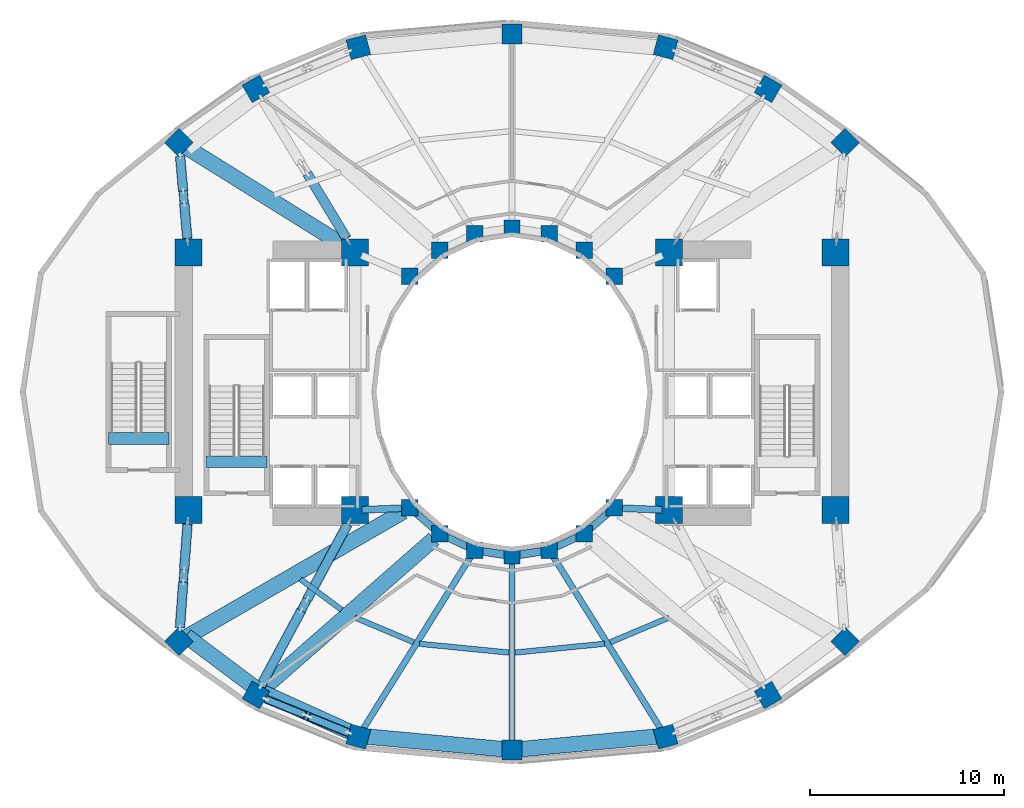
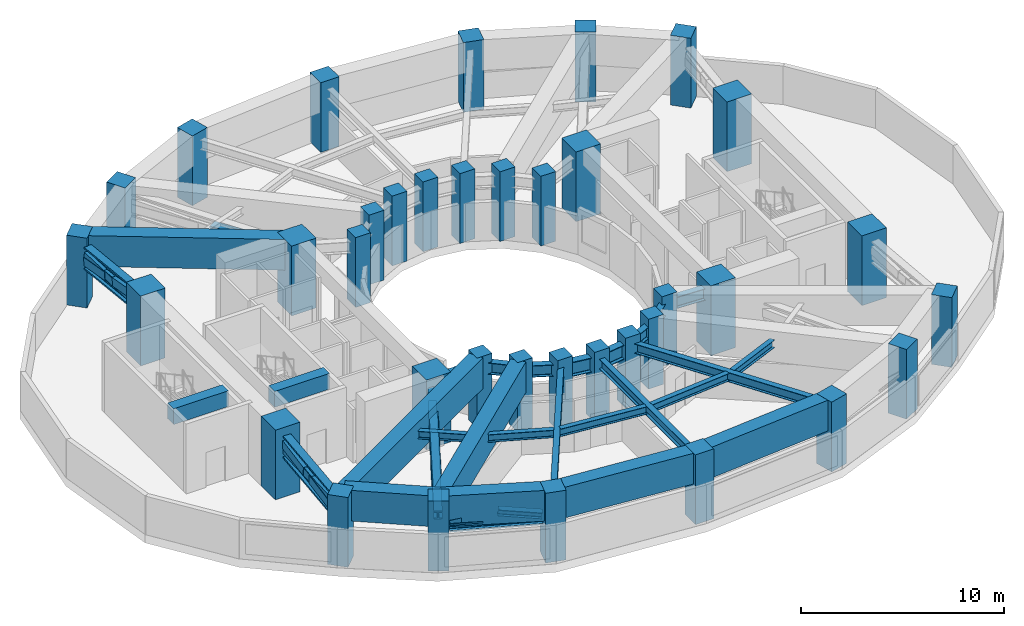
# One storey, part 1 of 10: 36 columns, 32 beams, 12 members.
"""IFC4 building model written with IfcOpenShell, lengths in metres."""

from ifc_helpers import new_model, si_unit, direction, frame, origin, origin_2d, place, context, subcontext, project, spatial, rectangle, hollow_rectangle, i_section, extrude, material, material_profile, profile_set, type_object, element, save


model = new_model("IFC4")

# Units and contexts
model_context = context("Model", 3, precision=1e-05, world=origin(), true_north=direction((0.0, 1.0)))
body_context = subcontext(model_context, "Body", "Model", "MODEL_VIEW")
ifc_project = project(units=[si_unit("LENGTHUNIT", "METRE"), si_unit("AREAUNIT", "SQUARE_METRE"), si_unit("VOLUMEUNIT", "CUBIC_METRE"), si_unit("PLANEANGLEUNIT", "RADIAN"), si_unit("MASSUNIT", "GRAM", prefix="KILO")], contexts=[model_context])

# Site, building, storey
site_placement = place(None, origin())
site = spatial("IfcSite", under=ifc_project, at=site_placement, CompositionType="ELEMENT")
building_placement = place(site_placement, origin())
building = spatial("IfcBuilding", under=site, at=building_placement, Name="Solvane Sanctuary Tower", CompositionType="ELEMENT")
storey_placement = place(building_placement, frame((0.0, 0.0, 64.800048828125)))
storey = spatial("IfcBuildingStorey", under=building, at=storey_placement, Name="L19", CompositionType="ELEMENT", Elevation=64.800048828125)

# Columns
ifc_material_1 = material(Name="Concrete C70/85", Category="concrete")
ifc_material_profile_1 = material_profile(ifc_material_1, rectangle(XDim=1.39990234375, YDim=1.39990234375, at=origin_2d()), Name="RC1400X1400")
ifc_profile_set_1 = profile_set([ifc_material_profile_1], Name="Concrete C70/85")
column_type_1 = type_object("IfcColumnType", Name="Column C-POD-INT RC1400X1400", PredefinedType="COLUMN", material=ifc_profile_set_1)
for number, where, z_axis, x_axis, name in (
    (1, (15.300048828125, 16.89990234375, 0.0), (0.0, 0.0, 1.0), (1.0, 0.0, 0.0), "L19 Core Corner Column CW1"),
    (2, (23.89990234375, 16.89990234375, 0.0), (0.0, 0.0, 1.0), (1.0, 0.0, 0.0), "L19 Core Corner Column CW2"),
    (3, (23.89990234375, 30.199951171875, 0.0), (0.0, 0.0, 1.0), (1.0, 0.0, 0.0), "L19 Core Corner Column CW3"),
    (4, (15.300048828125, 30.199951171875, 0.0), (0.0, 0.0, 1.0), (1.0, 0.0, 0.0), "L19 Core Corner Column CW4"),
    (5, (40.10009765625, 16.89990234375, 0.0), (0.0, 0.0, 1.0), (1.0, 0.0, 0.0), "L19 Core Corner Column CE1"),
    (6, (48.699951171875, 16.89990234375, 0.0), (0.0, 0.0, 1.0), (1.0, 0.0, 0.0), "L19 Core Corner Column CE2"),
    (7, (48.699951171875, 30.199951171875, 0.0), (0.0, 0.0, 1.0), (1.0, 0.0, 0.0), "L19 Core Corner Column CE3"),
    (8, (40.10009765625, 30.199951171875, 0.0), (0.0, 0.0, 1.0), (1.0, 0.0, 0.0), "L19 Core Corner Column CE4"),
):
    element("IfcColumn", number, at=place(storey_placement, frame(where, z_axis=z_axis, x_axis=x_axis)), inside=storey, type_object=column_type_1, Name=name, PredefinedType="COLUMN", context=body_context, shape_type="SweptSolid", body=[
        extrude(rectangle(XDim=1.39990234375, YDim=1.39990234375, at=origin_2d()), origin(), (0.0, 0.0, 1.0), 4.199951171875),
    ])
ifc_material_2 = material(Name="Concrete C60/75", Category="concrete")
ifc_material_profile_2 = material_profile(ifc_material_2, rectangle(XDim=0.85009765625, YDim=0.85009765625, at=origin_2d()), Name="RC850X850")
ifc_profile_set_2 = profile_set([ifc_material_profile_2], Name="Concrete C60/75")
column_type_2 = type_object("IfcColumnType", Name="Column C-RING-Z2 RC850X850", PredefinedType="COLUMN", material=ifc_profile_set_2)
for number, where, z_axis, x_axis, name in (
    (9, (37.27490234375, 28.982177734375, 0.0), (0.0, 0.0, 1.0), (1.0, 0.0, 0.0), "L19 Inner Light-Well Ring Column IC01"),
    (10, (35.72998046875, 30.32666015625, 0.0), (0.0, 0.0, 1.0), (1.0, 0.0, 0.0), "L19 Inner Light-Well Ring Column IC02"),
    (11, (33.930908203125, 31.171630859375, 0.0), (0.0, 0.0, 1.0), (1.0, 0.0, 0.0), "L19 Inner Light-Well Ring Column IC03"),
    (12, (32.0, 31.4599609375, 0.0), (0.0, 0.0, 1.0), (1.0, 0.0, 0.0), "L19 Inner Light-Well Ring Column IC04"),
    (13, (30.069091796875, 31.171630859375, 0.0), (0.0, 0.0, 1.0), (1.0, 0.0, 0.0), "L19 Inner Light-Well Ring Column IC05"),
    (14, (28.27001953125, 30.32666015625, 0.0), (0.0, 0.0, 1.0), (1.0, 0.0, 0.0), "L19 Inner Light-Well Ring Column IC06"),
    (15, (26.72509765625, 28.982177734375, 0.0), (0.0, 0.0, 1.0), (1.0, 0.0, 0.0), "L19 Inner Light-Well Ring Column IC07"),
    (16, (26.72509765625, 17.017822265625, 0.0), (0.0, 0.0, 1.0), (1.0, 0.0, 0.0), "L19 Inner Light-Well Ring Column IC08"),
    (17, (28.27001953125, 15.67333984375, 0.0), (0.0, 0.0, 1.0), (1.0, 0.0, 0.0), "L19 Inner Light-Well Ring Column IC09"),
    (18, (30.069091796875, 14.828369140625, 0.0), (0.0, 0.0, 1.0), (1.0, 0.0, 0.0), "L19 Inner Light-Well Ring Column IC10"),
    (19, (32.0, 14.5400390625, 0.0), (0.0, 0.0, 1.0), (1.0, 0.0, 0.0), "L19 Inner Light-Well Ring Column IC11"),
    (20, (33.930908203125, 14.828369140625, 0.0), (0.0, 0.0, 1.0), (1.0, 0.0, 0.0), "L19 Inner Light-Well Ring Column IC12"),
    (21, (35.72998046875, 15.67333984375, 0.0), (0.0, 0.0, 1.0), (1.0, 0.0, 0.0), "L19 Inner Light-Well Ring Column IC13"),
    (22, (37.27490234375, 17.017822265625, 0.0), (0.0, 0.0, 1.0), (1.0, 0.0, 0.0), "L19 Inner Light-Well Ring Column IC14"),
):
    element("IfcColumn", number, at=place(storey_placement, frame(where, z_axis=z_axis, x_axis=x_axis)), inside=storey, type_object=column_type_2, Name=name, PredefinedType="COLUMN", context=body_context, shape_type="SweptSolid", body=[
        extrude(rectangle(XDim=0.85009765625, YDim=0.85009765625, at=origin_2d()), origin(), (0.0, 0.0, 1.0), 4.199951171875),
    ])
ifc_material_profile_3 = material_profile(ifc_material_2, rectangle(XDim=1.050048828125, YDim=1.050048828125, at=origin_2d()), Name="RC1050X1050")
ifc_profile_set_3 = profile_set([ifc_material_profile_3], Name="Concrete C60/75")
column_type_3 = type_object("IfcColumnType", Name="Column C-TUBE-Z2 RC1050X1050", PredefinedType="COLUMN", material=ifc_profile_set_3)
for number, where, z_axis, x_axis, name in (
    (23, (49.19482421875, 35.875244140625, 0.0), (0.0, 0.0, 1.0), (0.707106781187, 0.707106781187, 0.0), "L19 Perimeter Tube Column TC01"),
    (24, (45.221435546875, 38.647216796875, 0.0), (0.0, 0.0, 1.0), (0.5, 0.866025403784, 0.0), "L19 Perimeter Tube Column TC02"),
    (25, (39.931640625, 40.796630859375, 0.0), (0.0, 0.0, 1.0), (0.258819045103, 0.965925826289, 0.0), "L19 Perimeter Tube Column TC03"),
    (26, (32.0, 41.47998046875, 0.0), (0.0, 0.0, 1.0), (0.0, 1.0, 0.0), "L19 Perimeter Tube Column TC04"),
    (27, (24.068359375, 40.796630859375, 0.0), (0.0, 0.0, 1.0), (-0.258819045103, 0.965925826289, 0.0), "L19 Perimeter Tube Column TC05"),
    (28, (18.778564453125, 38.647216796875, 0.0), (0.0, 0.0, 1.0), (-0.5, 0.866025403784, 0.0), "L19 Perimeter Tube Column TC06"),
    (29, (14.80517578125, 35.875244140625, 0.0), (0.0, 0.0, 1.0), (-0.707106781187, 0.707106781187, 0.0), "L19 Perimeter Tube Column TC07"),
    (30, (14.80517578125, 10.124755859375, 0.0), (0.0, 0.0, 1.0), (-0.707106781187, -0.707106781187, 0.0), "L19 Perimeter Tube Column TC08"),
    (31, (18.778564453125, 7.352783203125, 0.0), (0.0, 0.0, 1.0), (-0.5, -0.866025403784, 0.0), "L19 Perimeter Tube Column TC09"),
    (32, (24.068359375, 5.203369140625, 0.0), (0.0, 0.0, 1.0), (-0.258819045103, -0.965925826289, 0.0), "L19 Perimeter Tube Column TC10"),
    (33, (32.0, 4.52001953125, 0.0), (0.0, 0.0, 1.0), (0.0, -1.0, 0.0), "L19 Perimeter Tube Column TC11"),
    (34, (39.931640625, 5.203369140625, 0.0), (0.0, 0.0, 1.0), (0.258819045103, -0.965925826289, 0.0), "L19 Perimeter Tube Column TC12"),
    (35, (45.221435546875, 7.352783203125, 0.0), (0.0, 0.0, 1.0), (0.5, -0.866025403784, 0.0), "L19 Perimeter Tube Column TC13"),
    (36, (49.19482421875, 10.124755859375, 0.0), (0.0, 0.0, 1.0), (0.707106781187, -0.707106781187, 0.0), "L19 Perimeter Tube Column TC14"),
):
    element("IfcColumn", number, at=place(storey_placement, frame(where, z_axis=z_axis, x_axis=x_axis)), inside=storey, type_object=column_type_3, Name=name, PredefinedType="COLUMN", context=body_context, shape_type="SweptSolid", body=[
        extrude(rectangle(XDim=1.050048828125, YDim=1.050048828125, at=origin_2d()), origin(), (0.0, 0.0, 1.0), 4.199951171875),
    ])

# Beams
ifc_material_3 = material(Name="Steel ASTM A913 Grade 65", Category="steel")
ifc_material_profile_4 = material_profile(ifc_material_3, i_section(OverallWidth=0.403076171875, OverallDepth=0.867919921875, WebThickness=0.02099609375, FlangeThickness=0.03564453125, FilletRadius=0.02197265625, at=origin_2d()), Name="W33X241")
ifc_profile_set_4 = profile_set([ifc_material_profile_4], Name="Steel ASTM A913 Grade 65")
beam_type_1 = type_object("IfcBeamType", Name="Beam B-BELT-CH W33X241", PredefinedType="BEAM", material=ifc_profile_set_4)
for number, where, z_axis, x_axis, name in (
    (37, (30.4599609375, 14.77001953125, 3.263916015625), (0.989034751611, -0.147682971619, 0.0), (0.147682971619, 0.989034751611, 0.0), "L19 Inner Belt Chord IC10-IC11"),
    (38, (32.390625, 14.598388671875, 3.263916015625), (0.989034751611, 0.147682971619, 0.0), (-0.147682971619, 0.989034751611, 0.0), "L19 Inner Belt Chord IC11-IC12"),
):
    element("IfcBeam", number, at=place(storey_placement, frame(where, z_axis=z_axis, x_axis=x_axis)), inside=storey, type_object=beam_type_1, Name=name, PredefinedType="BEAM", context=body_context, shape_type="SweptSolid", body=[
        extrude(i_section(OverallWidth=0.403076171875, OverallDepth=0.867919921875, WebThickness=0.02099609375, FlangeThickness=0.03564453125, FilletRadius=0.02197265625, at=origin_2d()), origin(), (0.0, 0.0, 1.0), 1.162109375),
    ])
ifc_material_profile_5 = material_profile(ifc_material_1, rectangle(XDim=0.60009765625, YDim=0.949951171875, at=origin_2d()), Name="RC600X950")
ifc_profile_set_5 = profile_set([ifc_material_profile_5], Name="Concrete C70/85")
beam_type_2 = type_object("IfcBeamType", Name="Beam B-COUPLE RC600X950", PredefinedType="LINTEL", material=ifc_profile_set_5)
for number, where, z_axis, x_axis, name in (
    (39, (16.22998046875, 19.399169921875, 3.724853515625), (1.0, 0.0, 0.0), (0.0, 1.0, 0.0), "L19 ST-1 Stair Floor Landing Trimmer"),
    (40, (11.169921875, 20.59912109375, 3.724853515625), (1.0, 0.0, 0.0), (0.0, 1.0, 0.0), "L19 ST-3 Stair Floor Landing Trimmer"),
):
    element("IfcBeam", number, at=place(storey_placement, frame(where, z_axis=z_axis, x_axis=x_axis)), inside=storey, type_object=beam_type_2, Name=name, PredefinedType="LINTEL", context=body_context, shape_type="SweptSolid", body=[
        extrude(rectangle(XDim=0.60009765625, YDim=0.949951171875, at=origin_2d()), origin(), (0.0, 0.0, 1.0), 3.1201171875),
    ])
ifc_material_profile_6 = material_profile(ifc_material_3, i_section(OverallWidth=0.431884765625, OverallDepth=0.498046875, WebThickness=0.0556640625, FlangeThickness=0.0888671875, FilletRadius=0.02490234375, at=origin_2d()), Name="W14X500")
ifc_profile_set_6 = profile_set([ifc_material_profile_6], Name="Steel ASTM A913 Grade 65")
beam_type_3 = type_object("IfcBeamType", Name="Beam B-OUTR-CH W14X500", PredefinedType="BEAM", material=ifc_profile_set_6)
for number, where, z_axis, x_axis, name in (
    (41, (15.238037109375, 30.909912109375, 3.448974609375), (-0.086870351336, 0.996219625413, 0.0), (-0.996219625413, -0.086870351336, 0.0), "L19 Outrigger Top Chord OW1"),
    (42, (15.238037109375, 30.909912109375, 2.60986328125), (-0.086870351336, 0.996219625413, 0.0), (-0.996219625413, -0.086870351336, 0.0), "L19 Outrigger Bottom Chord OW1"),
):
    element("IfcBeam", number, at=place(storey_placement, frame(where, z_axis=z_axis, x_axis=x_axis)), inside=storey, type_object=beam_type_3, Name=name, PredefinedType="BEAM", context=body_context, shape_type="SweptSolid", body=[
        extrude(i_section(OverallWidth=0.431884765625, OverallDepth=0.498046875, WebThickness=0.0556640625, FlangeThickness=0.0888671875, FilletRadius=0.02490234375, at=origin_2d()), origin(), (0.0, 0.0, 1.0), 4.28857421875),
    ])
for number, where, z_axis, x_axis, name in (
    (43, (15.248046875, 16.18994140625, 3.448974609375), (-0.072821438964, -0.997344994486, 0.0), (0.997344994486, -0.072821438964, 0.0), "L19 Outrigger Top Chord OW3"),
    (44, (15.248046875, 16.18994140625, 2.60986328125), (-0.072821438964, -0.997344994486, 0.0), (0.997344994486, -0.072821438964, 0.0), "L19 Outrigger Bottom Chord OW3"),
):
    element("IfcBeam", number, at=place(storey_placement, frame(where, z_axis=z_axis, x_axis=x_axis)), inside=storey, type_object=beam_type_3, Name=name, PredefinedType="BEAM", context=body_context, shape_type="SweptSolid", body=[
        extrude(i_section(OverallWidth=0.431884765625, OverallDepth=0.498046875, WebThickness=0.0556640625, FlangeThickness=0.0888671875, FilletRadius=0.02490234375, at=origin_2d()), origin(), (0.0, 0.0, 1.0), 5.37744140625),
    ])
for number, where, z_axis, x_axis, name in (
    (45, (23.519775390625, 16.191162109375, 3.448974609375), (-0.472722258165, -0.881211476682, 0.0), (0.881211476682, -0.472722258165, 0.0), "L19 Outrigger Top Chord OW4"),
    (46, (23.519775390625, 16.191162109375, 2.60986328125), (-0.472722258165, -0.881211476682, 0.0), (0.881211476682, -0.472722258165, 0.0), "L19 Outrigger Bottom Chord OW4"),
):
    element("IfcBeam", number, at=place(storey_placement, frame(where, z_axis=z_axis, x_axis=x_axis)), inside=storey, type_object=beam_type_3, Name=name, PredefinedType="BEAM", context=body_context, shape_type="SweptSolid", body=[
        extrude(i_section(OverallWidth=0.431884765625, OverallDepth=0.498046875, WebThickness=0.0556640625, FlangeThickness=0.0888671875, FilletRadius=0.02490234375, at=origin_2d()), origin(), (0.0, 0.0, 1.0), 9.49462890625),
    ])
beam_1_placement = place(storey_placement, frame((19.27880859375, 7.1494140625, 2.300048828125), z_axis=(0.926448767062, -0.37642088413, 0.0), x_axis=(0.37642088413, 0.926448767062, 0.0)))
element("IfcBeam", 47, at=beam_1_placement, inside=storey, type_object=beam_type_3, Name="L19 Belt Truss Bottom Chord 09-10", PredefinedType="BEAM", context=body_context, shape_type="SweptSolid", body=[
    extrude(i_section(OverallWidth=0.431884765625, OverallDepth=0.498046875, WebThickness=0.0556640625, FlangeThickness=0.0888671875, FilletRadius=0.02490234375, at=origin_2d()), origin(), (0.0, 0.0, 1.0), 4.630859375),
])
ifc_material_4 = material(Name="Steel ASTM A992 Grade 50", Category="steel")
ifc_material_profile_7 = material_profile(ifc_material_4, i_section(OverallWidth=0.31494140625, OverallDepth=0.575927734375, WebThickness=0.01513671875, FlangeThickness=0.0244140625, FilletRadius=0.014892578125, at=origin_2d()), Name="W21X122")
ifc_profile_set_7 = profile_set([ifc_material_profile_7], Name="Steel ASTM A992 Grade 50")
beam_type_4 = type_object("IfcBeamType", Name="Beam B-RAD-Z2 W21X122", PredefinedType="BEAM", material=ifc_profile_set_7)
beam_2_placement = place(storey_placement, frame((29.921142578125, 14.5908203125, 3.409912109375), z_axis=(-0.529058325657, -0.848585463022, 0.0), x_axis=(0.848585463022, -0.529058325657, 0.0)))
element("IfcBeam", 48, at=beam_2_placement, inside=storey, type_object=beam_type_4, Name="L19 Radial Composite Floor Beam 10", PredefinedType="BEAM", context=body_context, shape_type="SweptSolid", body=[
    extrude(i_section(OverallWidth=0.31494140625, OverallDepth=0.575927734375, WebThickness=0.01513671875, FlangeThickness=0.0244140625, FilletRadius=0.014892578125, at=origin_2d()), origin(), (0.0, 0.0, 1.0), 10.782470703125),
])
beam_3_placement = place(storey_placement, frame((32.0, 14.260009765625, 3.409912109375), z_axis=(0.0, -1.0, 0.0), x_axis=(1.0, 0.0, 0.0)))
element("IfcBeam", 49, at=beam_3_placement, inside=storey, type_object=beam_type_4, Name="L19 Radial Composite Floor Beam 11", PredefinedType="BEAM", context=body_context, shape_type="SweptSolid", body=[
    extrude(i_section(OverallWidth=0.31494140625, OverallDepth=0.575927734375, WebThickness=0.01513671875, FlangeThickness=0.0244140625, FilletRadius=0.014892578125, at=origin_2d()), origin(), (0.0, 0.0, 1.0), 9.4599609375),
])
beam_4_placement = place(storey_placement, frame((34.078857421875, 14.5908203125, 3.409912109375), z_axis=(0.529058325657, -0.848585463022, 0.0), x_axis=(0.848585463022, 0.529058325657, 0.0)))
element("IfcBeam", 50, at=beam_4_placement, inside=storey, type_object=beam_type_4, Name="L19 Radial Composite Floor Beam 12", PredefinedType="BEAM", context=body_context, shape_type="SweptSolid", body=[
    extrude(i_section(OverallWidth=0.31494140625, OverallDepth=0.575927734375, WebThickness=0.01513671875, FlangeThickness=0.0244140625, FilletRadius=0.014892578125, at=origin_2d()), origin(), (0.0, 0.0, 1.0), 10.782470703125),
])
ifc_material_profile_8 = material_profile(ifc_material_4, i_section(OverallWidth=0.35498046875, OverallDepth=0.695068359375, WebThickness=0.015380859375, FlangeThickness=0.02490234375, FilletRadius=0.01806640625, at=origin_2d()), Name="W27X146")
ifc_profile_set_8 = profile_set([ifc_material_profile_8], Name="Steel ASTM A992 Grade 50")
beam_type_5 = type_object("IfcBeamType", Name="Beam B-RING-IN1 W27X146", PredefinedType="BEAM", material=ifc_profile_set_8)
beam_5_placement = place(storey_placement, frame((24.259765625, 16.9150390625, 3.350341796875), z_axis=(0.999130007788, 0.041704047018, 0.0), x_axis=(-0.041704047018, 0.999130007788, 0.0)))
element("IfcBeam", 51, at=beam_5_placement, inside=storey, type_object=beam_type_5, Name="L19 Inner Light-Well Ring Beam CW2-IC08", PredefinedType="BEAM", context=body_context, shape_type="SweptSolid", body=[
    extrude(i_section(OverallWidth=0.35498046875, OverallDepth=0.695068359375, WebThickness=0.015380859375, FlangeThickness=0.02490234375, FilletRadius=0.01806640625, at=origin_2d()), origin(), (0.0, 0.0, 1.0), 2.072265625),
])
beam_6_placement = place(storey_placement, frame((27.02294921875, 16.758544921875, 3.350341796875), z_axis=(0.754317177099, -0.656510164684, 0.0), x_axis=(0.656510164684, 0.754317177099, 0.0)))
element("IfcBeam", 52, at=beam_6_placement, inside=storey, type_object=beam_type_5, Name="L19 Inner Light-Well Ring Beam IC08-IC09", PredefinedType="BEAM", context=body_context, shape_type="SweptSolid", body=[
    extrude(i_section(OverallWidth=0.35498046875, OverallDepth=0.695068359375, WebThickness=0.015380859375, FlangeThickness=0.02490234375, FilletRadius=0.01806640625, at=origin_2d()), origin(), (0.0, 0.0, 1.0), 1.258056640625),
])
for number, where, z_axis, x_axis, name in (
    (53, (28.62744140625, 15.505615234375, 3.350341796875), (0.905044882818, -0.425316070804, 0.0), (0.425316070804, 0.905044882818, 0.0), "L19 Inner Light-Well Ring Beam IC09-IC10"),
    (54, (34.288330078125, 14.99609375, 3.350341796875), (0.905044882818, 0.425316070804, 0.0), (-0.425316070804, 0.905044882818, 0.0), "L19 Inner Light-Well Ring Beam IC12-IC13"),
):
    element("IfcBeam", number, at=place(storey_placement, frame(where, z_axis=z_axis, x_axis=x_axis)), inside=storey, type_object=beam_type_5, Name=name, PredefinedType="BEAM", context=body_context, shape_type="SweptSolid", body=[
        extrude(i_section(OverallWidth=0.35498046875, OverallDepth=0.695068359375, WebThickness=0.015380859375, FlangeThickness=0.02490234375, FilletRadius=0.01806640625, at=origin_2d()), origin(), (0.0, 0.0, 1.0), 1.197998046875),
    ])
beam_7_placement = place(storey_placement, frame((36.028076171875, 15.9326171875, 3.350341796875), z_axis=(0.754317177099, 0.656510164684, 0.0), x_axis=(-0.656510164684, 0.754317177099, 0.0)))
element("IfcBeam", 55, at=beam_7_placement, inside=storey, type_object=beam_type_5, Name="L19 Inner Light-Well Ring Beam IC13-IC14", PredefinedType="BEAM", context=body_context, shape_type="SweptSolid", body=[
    extrude(i_section(OverallWidth=0.35498046875, OverallDepth=0.695068359375, WebThickness=0.015380859375, FlangeThickness=0.02490234375, FilletRadius=0.01806640625, at=origin_2d()), origin(), (0.0, 0.0, 1.0), 1.258056640625),
])
beam_8_placement = place(storey_placement, frame((37.669677734375, 17.00146484375, 3.350341796875), z_axis=(0.999130007788, -0.041704047018, 0.0), x_axis=(0.041704047018, 0.999130007788, 0.0)))
element("IfcBeam", 56, at=beam_8_placement, inside=storey, type_object=beam_type_5, Name="L19 Inner Light-Well Ring Beam IC14-CE1", PredefinedType="BEAM", context=body_context, shape_type="SweptSolid", body=[
    extrude(i_section(OverallWidth=0.35498046875, OverallDepth=0.695068359375, WebThickness=0.015380859375, FlangeThickness=0.02490234375, FilletRadius=0.01806640625, at=origin_2d()), origin(), (0.0, 0.0, 1.0), 2.072265625),
])
ifc_material_profile_9 = material_profile(ifc_material_4, i_section(OverallWidth=0.280029296875, OverallDepth=0.462890625, WebThickness=0.0107421875, FlangeThickness=0.017333984375, FilletRadius=0.013916015625, at=origin_2d()), Name="W18X76")
ifc_profile_set_9 = profile_set([ifc_material_profile_9], Name="Steel ASTM A992 Grade 50")
beam_type_6 = type_object("IfcBeamType", Name="Beam B-SEC-JOIST W18X76", PredefinedType="JOIST", material=ifc_profile_set_9)
beam_9_placement = place(storey_placement, frame((21.081787109375, 13.335205078125, 3.466552734375), z_axis=(0.801543729599, -0.597936158415, 0.0), x_axis=(0.597936158415, 0.801543729599, 0.0)))
element("IfcBeam", 57, at=beam_9_placement, inside=storey, type_object=beam_type_6, Name="L19 Secondary Circumferential Joist 08-09", PredefinedType="JOIST", context=body_context, shape_type="SweptSolid", body=[
    extrude(i_section(OverallWidth=0.280029296875, OverallDepth=0.462890625, WebThickness=0.0107421875, FlangeThickness=0.017333984375, FilletRadius=0.013916015625, at=origin_2d()), origin(), (0.0, 0.0, 1.0), 2.65234375),
])
beam_10_placement = place(storey_placement, frame((23.88818359375, 11.359375, 3.466552734375), z_axis=(0.921183568774, -0.389128298406, 0.0), x_axis=(0.389128298406, 0.921183568774, 0.0)))
element("IfcBeam", 58, at=beam_10_placement, inside=storey, type_object=beam_type_6, Name="L19 Secondary Circumferential Joist 09-10", PredefinedType="JOIST", context=body_context, shape_type="SweptSolid", body=[
    extrude(i_section(OverallWidth=0.280029296875, OverallDepth=0.462890625, WebThickness=0.0107421875, FlangeThickness=0.017333984375, FilletRadius=0.013916015625, at=origin_2d()), origin(), (0.0, 0.0, 1.0), 3.300048828125),
])
for number, where, z_axis, x_axis, name in (
    (59, (27.220703125, 10.000732421875, 3.466552734375), (0.995183733328, -0.098027225394, 0.0), (0.098027225394, 0.995183733328, 0.0), "L19 Secondary Circumferential Joist 10-11"),
    (60, (32.15185546875, 9.544921875, 3.466552734375), (0.995183733328, 0.098027225394, 0.0), (-0.098027225394, 0.995183733328, 0.0), "L19 Secondary Circumferential Joist 11-12"),
):
    element("IfcBeam", number, at=place(storey_placement, frame(where, z_axis=z_axis, x_axis=x_axis)), inside=storey, type_object=beam_type_6, Name=name, PredefinedType="JOIST", context=body_context, shape_type="SweptSolid", body=[
        extrude(i_section(OverallWidth=0.280029296875, OverallDepth=0.462890625, WebThickness=0.0107421875, FlangeThickness=0.017333984375, FilletRadius=0.013916015625, at=origin_2d()), origin(), (0.0, 0.0, 1.0), 4.64990234375),
    ])
beam_11_placement = place(storey_placement, frame((37.07177734375, 10.0751953125, 3.466552734375), z_axis=(0.921183568774, 0.389128298406, 0.0), x_axis=(-0.389128298406, 0.921183568774, 0.0)))
element("IfcBeam", 61, at=beam_11_placement, inside=storey, type_object=beam_type_6, Name="L19 Secondary Circumferential Joist 12-13", PredefinedType="JOIST", context=body_context, shape_type="SweptSolid", body=[
    extrude(i_section(OverallWidth=0.280029296875, OverallDepth=0.462890625, WebThickness=0.0107421875, FlangeThickness=0.017333984375, FilletRadius=0.013916015625, at=origin_2d()), origin(), (0.0, 0.0, 1.0), 3.300048828125),
])
ifc_material_profile_10 = material_profile(ifc_material_1, rectangle(XDim=0.800048828125, YDim=1.85009765625, at=origin_2d()), Name="RC800X1850")
ifc_profile_set_10 = profile_set([ifc_material_profile_10], Name="Concrete C70/85")
beam_type_7 = type_object("IfcBeamType", Name="Beam B-XFER-BLK RC800X1850", PredefinedType="BEAM", material=ifc_profile_set_10)
beam_12_placement = place(storey_placement, frame((23.594482421875, 30.390625, 3.27490234375), z_axis=(-0.848375589758, 0.529394804189, 0.0), x_axis=(-0.529394804189, -0.848375589758, 0.0)))
element("IfcBeam", 62, at=beam_12_placement, inside=storey, type_object=beam_type_7, Name="L19 Block-Shift Radial Transfer Girder 07A", PredefinedType="BEAM", context=body_context, shape_type="SweptSolid", body=[
    extrude(rectangle(XDim=0.800048828125, YDim=1.85009765625, at=origin_2d()), origin(), (0.0, 0.0, 1.0), 9.955322265625),
])
beam_13_placement = place(storey_placement, frame((26.383056640625, 16.8203125, 3.27490234375), z_axis=(-0.865663325192, -0.500626614771, 0.0), x_axis=(0.500626614771, -0.865663325192, 0.0)))
element("IfcBeam", 63, at=beam_13_placement, inside=storey, type_object=beam_type_7, Name="L19 Block-Shift Radial Transfer Girder 08A", PredefinedType="BEAM", context=body_context, shape_type="SweptSolid", body=[
    extrude(rectangle(XDim=0.800048828125, YDim=1.85009765625, at=origin_2d()), origin(), (0.0, 0.0, 1.0), 12.969482421875),
])
beam_14_placement = place(storey_placement, frame((27.972900390625, 15.4130859375, 3.27490234375), z_axis=(-0.751966160897, -0.659201708785, 0.0), x_axis=(0.659201708785, -0.751966160897, 0.0)))
element("IfcBeam", 64, at=beam_14_placement, inside=storey, type_object=beam_type_7, Name="L19 Block-Shift Radial Transfer Girder 09A", PredefinedType="BEAM", context=body_context, shape_type="SweptSolid", body=[
    extrude(rectangle(XDim=0.800048828125, YDim=1.85009765625, at=origin_2d()), origin(), (0.0, 0.0, 1.0), 11.822265625),
])
beam_15_placement = place(storey_placement, frame((15.1748046875, 10.401611328125, 3.27490234375), z_axis=(0.800210613957, -0.599719078662, 0.0), x_axis=(0.599719078662, 0.800210613957, 0.0)))
element("IfcBeam", 65, at=beam_15_placement, inside=storey, type_object=beam_type_7, Name="L19 Perimeter Step Transfer Ring NTC08-NTC09", PredefinedType="BEAM", context=body_context, shape_type="SweptSolid", body=[
    extrude(rectangle(XDim=0.800048828125, YDim=1.85009765625, at=origin_2d()), origin(), (0.0, 0.0, 1.0), 4.728271484375),
])
beam_16_placement = place(storey_placement, frame((18.95849609375, 7.56591796875, 3.27490234375), z_axis=(0.911310237902, -0.411720354483, 0.0), x_axis=(0.411720354483, 0.911310237902, 0.0)))
element("IfcBeam", 66, at=beam_16_placement, inside=storey, type_object=beam_type_7, Name="L19 Perimeter Step Transfer Ring NTC09-NTC10", PredefinedType="BEAM", context=body_context, shape_type="SweptSolid", body=[
    extrude(rectangle(XDim=0.800048828125, YDim=1.85009765625, at=origin_2d()), origin(), (0.0, 0.0, 1.0), 5.629150390625),
])
for number, where, z_axis, x_axis, name in (
    (67, (24.08837890625, 5.248291015625, 3.27490234375), (0.995790055536, -0.091663325793, 0.0), (0.091663325793, 0.995790055536, 0.0), "L19 Perimeter Step Transfer Ring NTC10-NTC11"),
    (68, (32.0, 4.52001953125, 3.27490234375), (0.995790055536, 0.091663325793, 0.0), (-0.091663325793, 0.995790055536, 0.0), "L19 Perimeter Step Transfer Ring NTC11-NTC12"),
):
    element("IfcBeam", number, at=place(storey_placement, frame(where, z_axis=z_axis, x_axis=x_axis)), inside=storey, type_object=beam_type_7, Name=name, PredefinedType="BEAM", context=body_context, shape_type="SweptSolid", body=[
        extrude(rectangle(XDim=0.800048828125, YDim=1.85009765625, at=origin_2d()), origin(), (0.0, 0.0, 1.0), 7.945068359375),
    ])

# Members
ifc_material_profile_11 = material_profile(ifc_material_3, hollow_rectangle(XDim=0.35009765625, YDim=0.35009765625, WallThickness=0.01611328125, at=origin_2d()), Name="HSS350X350X16")
ifc_profile_set_11 = profile_set([ifc_material_profile_11], Name="Steel ASTM A913 Grade 65")
member_type_1 = type_object("IfcMemberType", Name="Member M-BELT-DIAG HSS350X350X16", PredefinedType="BRACE", material=ifc_profile_set_11)
member_1_placement = place(storey_placement, frame((19.29248046875, 7.143798828125, 2.5517578125), z_axis=(0.911571739627, -0.370370534913, 0.178501065495), x_axis=(0.37641587991, 0.926450800287, 0.0)))
element("IfcMember", 69, at=member_1_placement, inside=storey, type_object=member_type_1, Name="L19 Belt Truss Diagonal 09-10", PredefinedType="BRACE", context=body_context, shape_type="SweptSolid", body=[
    extrude(hollow_rectangle(XDim=0.35009765625, YDim=0.35009765625, WallThickness=0.01611328125, at=origin_2d()), origin(), (0.0, 0.0, 1.0), 2.22802734375),
])
ifc_material_profile_12 = material_profile(ifc_material_4, i_section(OverallWidth=0.3740234375, OverallDepth=0.3720703125, WebThickness=0.016357421875, FlangeThickness=0.026123046875, FilletRadius=0.02490234375, at=origin_2d()), Name="W14X132")
ifc_profile_set_12 = profile_set([ifc_material_profile_12], Name="Steel ASTM A992 Grade 50")
member_type_2 = type_object("IfcMemberType", Name="Member M-BELT-POST W14X132", PredefinedType="POST", material=ifc_profile_set_12)
member_2_placement = place(storey_placement, frame((21.524169921875, 6.237060546875, 2.949462890625), z_axis=(0.911590259429, -0.370333542893, -0.178483237092), x_axis=(0.376377046956, 0.926466577122, 0.0)))
element("IfcMember", 70, at=member_2_placement, inside=storey, type_object=member_type_2, Name="L19 Belt Truss Web Strut 09-10", PredefinedType="POST", context=body_context, shape_type="SweptSolid", body=[
    extrude(i_section(OverallWidth=0.3740234375, OverallDepth=0.3720703125, WebThickness=0.016357421875, FlangeThickness=0.026123046875, FilletRadius=0.02490234375, at=origin_2d()), origin(), (0.0, 0.0, 1.0), 2.228271484375),
])
ifc_material_profile_13 = material_profile(ifc_material_3, hollow_rectangle(XDim=0.449951171875, YDim=0.449951171875, WallThickness=0.02001953125, at=origin_2d()), Name="HSS450X450X20")
ifc_profile_set_13 = profile_set([ifc_material_profile_13], Name="Steel ASTM A913 Grade 65")
member_type_3 = type_object("IfcMemberType", Name="Member M-OUTR-DIAG HSS450X450X20", PredefinedType="BRACE", material=ifc_profile_set_13)
member_3_placement = place(storey_placement, frame((15.236328125, 30.929931640625, 2.860595703125), z_axis=(-0.086609473239, 0.993087590973, 0.079220172943), x_axis=(-0.996218563133, -0.086882532587, 0.0)))
element("IfcMember", 71, at=member_3_placement, inside=storey, type_object=member_type_3, Name="L19 Outrigger Truss Diagonal OW1", PredefinedType="BRACE", context=body_context, shape_type="SweptSolid", body=[
    extrude(hollow_rectangle(XDim=0.449951171875, YDim=0.449951171875, WallThickness=0.02001953125, at=origin_2d()), origin(), (0.0, 0.0, 1.0), 4.26220703125),
])
member_4_placement = place(storey_placement, frame((15.24658203125, 16.170166015625, 2.8603515625), z_axis=(-0.072667773679, -0.99534765882, 0.063264782864), x_axis=(0.99734556422, -0.072813635616, 0.0)))
element("IfcMember", 72, at=member_4_placement, inside=storey, type_object=member_type_3, Name="L19 Outrigger Truss Diagonal OW3", PredefinedType="BRACE", context=body_context, shape_type="SweptSolid", body=[
    extrude(hollow_rectangle(XDim=0.449951171875, YDim=0.449951171875, WallThickness=0.02001953125, at=origin_2d()), origin(), (0.0, 0.0, 1.0), 5.3486328125),
])
member_5_placement = place(storey_placement, frame((23.510498046875, 16.173583984375, 2.859619140625), z_axis=(-0.4724225847, -0.880640909241, 0.035895548988), x_axis=(0.881208806793, -0.472727235127, 0.0)))
element("IfcMember", 73, at=member_5_placement, inside=storey, type_object=member_type_3, Name="L19 Outrigger Truss Diagonal OW4", PredefinedType="BRACE", context=body_context, shape_type="SweptSolid", body=[
    extrude(hollow_rectangle(XDim=0.449951171875, YDim=0.449951171875, WallThickness=0.02001953125, at=origin_2d()), origin(), (0.0, 0.0, 1.0), 9.460693359375),
])
ifc_material_profile_14 = material_profile(ifc_material_3, hollow_rectangle(XDim=0.5, YDim=0.5, WallThickness=0.02490234375, at=origin_2d()), Name="HSS500X500X25")
ifc_profile_set_14 = profile_set([ifc_material_profile_14], Name="Steel ASTM A913 Grade 65")
member_type_4 = type_object("IfcMemberType", Name="Member M-POD-DIAG HSS500X500X25", PredefinedType="BRACE", material=ifc_profile_set_14)
member_6_placement = place(storey_placement, frame((14.8671875, 35.16259765625, 2.860595703125), z_axis=(0.086609296901, -0.993092830042, 0.079154662583), x_axis=(0.996218618116, 0.086881902139, 0.0)))
element("IfcMember", 74, at=member_6_placement, inside=storey, type_object=member_type_4, Name="L19 Outrigger Counter-Diagonal Lower Half OW1", PredefinedType="BRACE", context=body_context, shape_type="SweptSolid", body=[
    extrude(hollow_rectangle(XDim=0.5, YDim=0.5, WallThickness=0.02490234375, at=origin_2d()), origin(), (0.0, 0.0, 1.0), 1.80126953125),
])
member_7_placement = place(storey_placement, frame((15.080322265625, 32.718505859375, 3.0556640625), z_axis=(0.086620956298, -0.993090963753, 0.079165318432), x_axis=(0.996217591577, 0.086893671993, 0.0)))
element("IfcMember", 75, at=member_7_placement, inside=storey, type_object=member_type_4, Name="L19 Outrigger Counter-Diagonal Upper Half OW1", PredefinedType="BRACE", context=body_context, shape_type="SweptSolid", body=[
    extrude(hollow_rectangle(XDim=0.5, YDim=0.5, WallThickness=0.02490234375, at=origin_2d()), origin(), (0.0, 0.0, 1.0), 1.801025390625),
])
member_8_placement = place(storey_placement, frame((21.43408203125, 34.26708984375, 3.042724609375), z_axis=(0.518044265001, -0.854417186166, 0.040017639656), x_axis=(0.855102145699, 0.518459564885, 0.0)))
element("IfcMember", 76, at=member_8_placement, inside=storey, type_object=member_type_4, Name="L19 Outrigger Counter-Diagonal Upper Half OW2", PredefinedType="BRACE", context=body_context, shape_type="SweptSolid", body=[
    extrude(hollow_rectangle(XDim=0.5, YDim=0.5, WallThickness=0.02490234375, at=origin_2d()), origin(), (0.0, 0.0, 1.0), 3.91064453125),
])
for number, where, z_axis, x_axis, name in (
    (77, (14.85791015625, 10.846435546875, 2.8603515625), (0.072695752283, 0.995348573878, 0.063218225839), (-0.997343532804, 0.072841455048, 0.0), "L19 Outrigger Counter-Diagonal Lower Half OW3"),
    (78, (15.076416015625, 13.8369140625, 3.05029296875), (0.072591674506, 0.995349545564, 0.063322436298), (-0.99735110881, 0.072737650187, 0.0), "L19 Outrigger Counter-Diagonal Upper Half OW3"),
):
    element("IfcMember", number, at=place(storey_placement, frame(where, z_axis=z_axis, x_axis=x_axis)), inside=storey, type_object=member_type_4, Name=name, PredefinedType="BRACE", context=body_context, shape_type="SweptSolid", body=[
        extrude(hollow_rectangle(XDim=0.5, YDim=0.5, WallThickness=0.02490234375, at=origin_2d()), origin(), (0.0, 0.0, 1.0), 2.34423828125),
    ])
for number, where, z_axis, x_axis, name in (
    (79, (19.041015625, 7.842041015625, 2.859619140625), (0.47241737528, 0.880643687353, 0.035895953236), (-0.8812115995, 0.472722029216, 0.0), "L19 Outrigger Counter-Diagonal Lower Half OW4"),
    (80, (21.431640625, 12.29833984375, 3.041259765625), (0.47241737528, 0.880643687353, 0.035895953236), (-0.8812115995, 0.472722029216, 0.0), "L19 Outrigger Counter-Diagonal Upper Half OW4"),
):
    element("IfcMember", number, at=place(storey_placement, frame(where, z_axis=z_axis, x_axis=x_axis)), inside=storey, type_object=member_type_4, Name=name, PredefinedType="BRACE", context=body_context, shape_type="SweptSolid", body=[
        extrude(hollow_rectangle(XDim=0.5, YDim=0.5, WallThickness=0.02490234375, at=origin_2d()), origin(), (0.0, 0.0, 1.0), 4.400390625),
    ])

save(model, "model.ifc")
